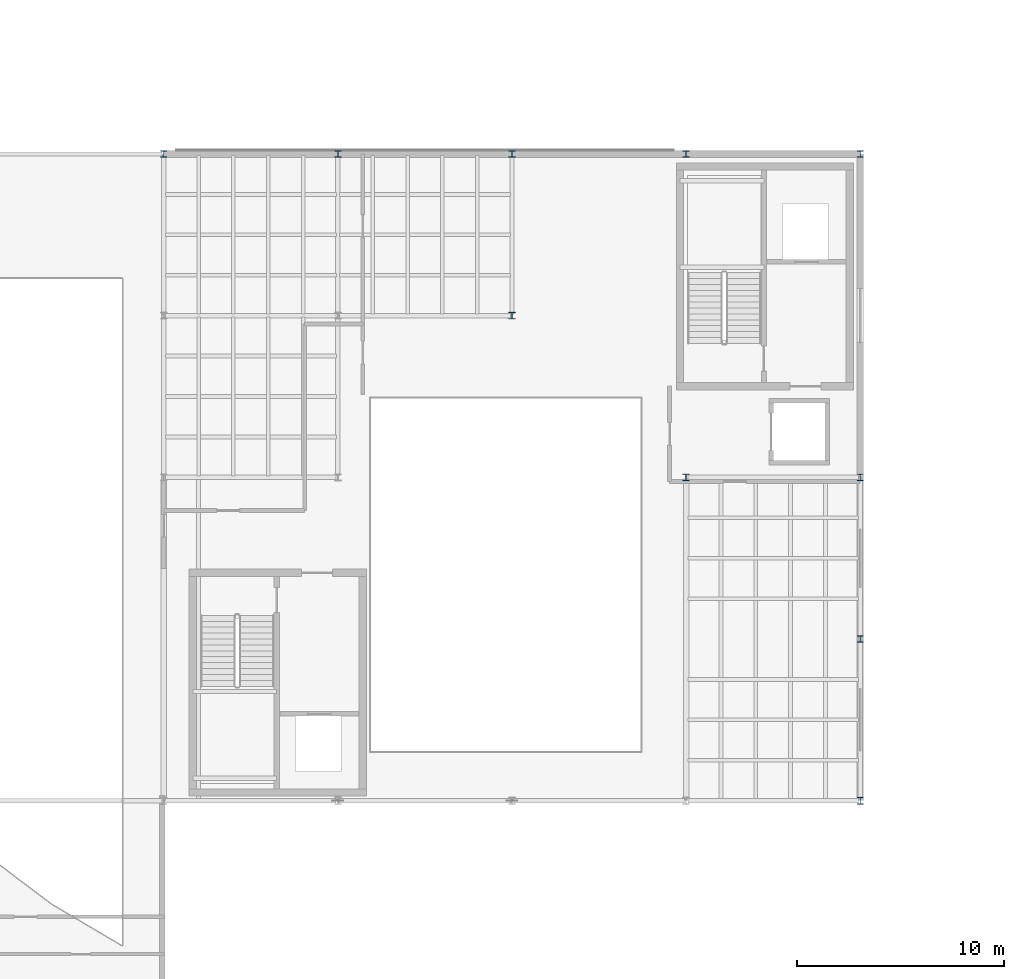
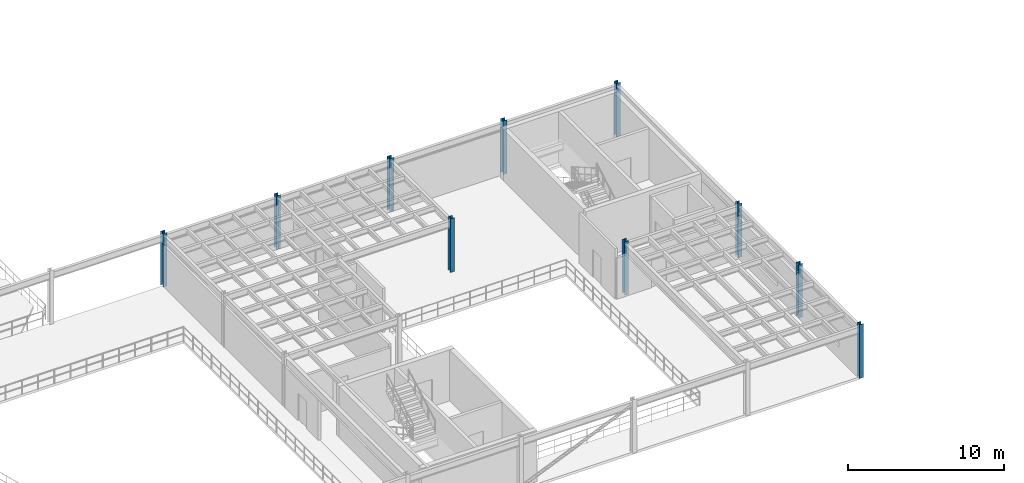
# One storey, part 5 of 32: 10 columns.
"""IFC4 building model written with IfcOpenShell, lengths in metres."""

import ifcopenshell
import ifcopenshell.guid

model = None  # the IFC model being written
_history = None  # IfcOwnerHistory: only IFC2X3 demands one
_inside = {}  # id of a spatial element -> (the spatial element, [elements in it])
_under = {}  # id of a project, library or spatial element -> (it, [spatial elements below it])
_declared = {}  # id of a project -> (the project, [libraries it declares])
_typed = {}  # id of a type object -> (the type object, [elements of that type])
_made_of = {}  # id of a material, layer set ... -> (it, [elements and type objects made of it])


def new_model(schema):
    """Start an empty IFC model of exactly this schema.

    Asked for "IFC4X3", IfcOpenShell would pick the latest addendum, in which some entities
    have other attributes; the version numbers below select the first issue.
    IFC2X3 requires an IfcOwnerHistory on every rooted entity: one is made here for all.
    """
    global model, _history
    if schema == "IFC4X3":
        model = ifcopenshell.file(schema_version=(4, 3, 0, 0))
    else:
        model = ifcopenshell.file(schema=schema)
    _inside.clear()
    _under.clear()
    _declared.clear()
    _typed.clear()
    _made_of.clear()
    _history = None
    if model.schema == "IFC2X3":
        org = make("IfcOrganization", Name="unknown")
        user = make(
            "IfcPersonAndOrganization",
            ThePerson=make("IfcPerson", FamilyName="unknown"),
            TheOrganization=org,
        )
        app = make(
            "IfcApplication",
            ApplicationDeveloper=org,
            Version="unknown",
            ApplicationFullName="unknown",
            ApplicationIdentifier="unknown",
        )
        _history = make(
            "IfcOwnerHistory",
            OwningUser=user,
            OwningApplication=app,
            ChangeAction="ADDED",
            CreationDate=0,
        )
    return model


def make(cls, **values):
    """One entity of the class cls with the attributes given. An attribute that is None is left unset."""
    return model.create_entity(
        cls, **{name: value for name, value in values.items() if value is not None}
    )


def rooted(cls, **values):
    """An entity with a GlobalId (a new one), such as an element, a storey or a relation."""
    return make(cls, GlobalId=ifcopenshell.guid.new(), OwnerHistory=_history, **values)


def si_unit(unit_type, name, prefix=None):
    """IfcSIUnit, for example si_unit("LENGTHUNIT", "METRE", prefix="MILLI")."""
    return make("IfcSIUnit", UnitType=unit_type, Prefix=prefix, Name=name)


def assignment(units):
    """IfcUnitAssignment: the units of a project."""
    return None if units is None else make("IfcUnitAssignment", Units=units)


def point(xyz):
    """IfcCartesianPoint."""
    return None if xyz is None else make("IfcCartesianPoint", Coordinates=xyz)


def direction(xyz):
    """IfcDirection."""
    return None if xyz is None else make("IfcDirection", DirectionRatios=xyz)


def frame(location, z_axis=None, x_axis=None):
    """IfcAxis2Placement3D, a coordinate frame: its origin and axes. An axis left out is left unset."""
    return make(
        "IfcAxis2Placement3D",
        Location=point(location),
        Axis=direction(z_axis),
        RefDirection=direction(x_axis),
    )


def frame_2d(location, x_axis=None):
    """IfcAxis2Placement2D, a coordinate frame in the plane: its origin and x axis."""
    return make(
        "IfcAxis2Placement2D", Location=point(location), RefDirection=direction(x_axis)
    )


def origin():
    """The frame at (0, 0, 0) with its axes left unset."""
    return frame((0.0, 0.0, 0.0))


def origin_2d():
    """The frame at (0, 0) in the plane with its x axis left unset."""
    return frame_2d((0.0, 0.0))


def place(relative_to, where):
    """IfcLocalPlacement: puts the frame where relative to a parent placement (None: the world)."""
    return make(
        "IfcLocalPlacement", PlacementRelTo=relative_to, RelativePlacement=where
    )


def context(
    kind, dimensions, precision=None, world=None, true_north=None, identifier=None
):
    """IfcGeometricRepresentationContext, for example the 3D "Model" context."""
    return make(
        "IfcGeometricRepresentationContext",
        ContextIdentifier=identifier,
        ContextType=kind,
        CoordinateSpaceDimension=dimensions,
        Precision=precision,
        WorldCoordinateSystem=world,
        TrueNorth=true_north,
    )


def subcontext(parent, identifier, kind, view, scale=None):
    """IfcGeometricRepresentationSubContext, for example "Body" below "Model"."""
    return make(
        "IfcGeometricRepresentationSubContext",
        ContextIdentifier=identifier,
        ContextType=kind,
        ParentContext=parent,
        TargetScale=scale,
        TargetView=view,
    )


def project(units=None, contexts=None):
    """IfcProject with its units and contexts."""
    return rooted(
        "IfcProject",
        Name="project",
        RepresentationContexts=contexts,
        UnitsInContext=assignment(units),
    )


def spatial(cls, under=None, at=None, **own):
    """A site, building, storey or space (cls), placed at a placement, below another one or the project."""
    s = rooted(cls, ObjectPlacement=at, **own)
    if under is not None:
        _under.setdefault(under.id(), (under, []))[1].append(s)
    return s


def profile(cls, at=None, kind="AREA", **sizes):
    """A parametric profile (cls). Its sizes go by their IFC names, for example OverallWidth=200.0."""
    return make(cls, ProfileType=kind, Position=at, **sizes)


def i_section(**sizes):
    """IfcIShapeProfileDef."""
    return profile("IfcIShapeProfileDef", **sizes)


def extrude(swept, where, along, depth):
    """IfcExtrudedAreaSolid: the profile swept, set in the frame where, extruded along a direction by depth."""
    return make(
        "IfcExtrudedAreaSolid",
        SweptArea=swept,
        Position=where,
        ExtrudedDirection=direction(along),
        Depth=depth,
    )


def shape(context_of_items, identifier, shape_type, items):
    """IfcShapeRepresentation: the items that make up one representation, for example the "Body"."""
    return make(
        "IfcShapeRepresentation",
        ContextOfItems=context_of_items,
        RepresentationIdentifier=identifier,
        RepresentationType=shape_type,
        Items=items,
    )


def material(Name=None, Category=None):
    """IfcMaterial."""
    return make("IfcMaterial", Name=Name, Category=Category)


def material_profile(
    of_material, cross_section, Name=None, Category=None, Priority=None
):
    """IfcMaterialProfile: a cross section and its material."""
    return make(
        "IfcMaterialProfile",
        Name=Name,
        Material=of_material,
        Profile=cross_section,
        Priority=Priority,
        Category=Category,
    )


def profile_set(profiles, Name=None, composite=None):
    """IfcMaterialProfileSet."""
    return make(
        "IfcMaterialProfileSet",
        Name=Name,
        MaterialProfiles=profiles,
        CompositeProfile=composite,
    )


def made_of(thing, what):
    """Note that an element or type object is made of a material, layer set ...; save() writes the relation."""
    if what is not None:
        _made_of.setdefault(what.id(), (what, []))[1].append(thing)
    return thing


def type_object(cls, material=None, **own):
    """A type object (cls), such as IfcWallType, which elements share."""
    return made_of(rooted(cls, **own), material)


def element(
    cls,
    number,
    at=None,
    inside=None,
    cuts=None,
    type_object=None,
    material=None,
    context=None,
    identifier="Body",
    shape_type=None,
    held_by="IfcProductDefinitionShape",
    body=None,
    shapes=None,
    **own,
):
    """One element of the class cls, such as IfcWall. Its Tag is "e" and its number.

    at: its placement. inside: the storey or other place that contains it. cuts: it is an
    opening in that element (IfcRelVoidsElement). A single representation is given by context,
    identifier, shape_type and body (its items); several are given by shapes. held_by: the class
    of the entity that holds the representations. save() writes the other relations.
    """
    e = rooted(cls, Tag="e%d" % number, ObjectPlacement=at, **own)
    if body is not None:
        shapes = [shape(context, identifier, shape_type, body)]
    if shapes is not None:
        e.Representation = make(held_by, Representations=shapes)
    if inside is not None:
        _inside.setdefault(inside.id(), (inside, []))[1].append(e)
    if cuts is not None:
        rooted(
            "IfcRelVoidsElement", RelatingBuildingElement=cuts, RelatedOpeningElement=e
        )
    if type_object is not None:
        _typed.setdefault(type_object.id(), (type_object, []))[1].append(e)
    return made_of(e, material)


def aggregate(whole, parts):
    """IfcRelAggregates: a whole, such as a stair, and the parts it consists of."""
    return rooted("IfcRelAggregates", RelatingObject=whole, RelatedObjects=parts)


def save(model, path):
    """Write the relations noted so far, then the file.

    IfcRelAggregates (storeys below a building ...), IfcRelContainedInSpatialStructure (elements
    in a storey), IfcRelDefinesByType, IfcRelAssociatesMaterial and IfcRelDeclares: one each for
    every whole, place, type object, material and project.
    """
    for whole, parts in _under.values():
        aggregate(whole, parts)
    for where, things in _inside.values():
        rooted(
            "IfcRelContainedInSpatialStructure",
            RelatedElements=things,
            RelatingStructure=where,
        )
    for kind, things in _typed.values():
        rooted("IfcRelDefinesByType", RelatedObjects=things, RelatingType=kind)
    for what, things in _made_of.values():
        rooted("IfcRelAssociatesMaterial", RelatedObjects=things, RelatingMaterial=what)
    for by, libraries in _declared.values():
        rooted("IfcRelDeclares", RelatingContext=by, RelatedDefinitions=libraries)
    model.write(path)


model = new_model("IFC4")

# Units and contexts
model_context = context("Model", 3, precision=1e-05, world=origin(), true_north=direction((0.0, 1.0)))
body_context = subcontext(model_context, "Body", "Model", "MODEL_VIEW")
ifc_project = project(units=[si_unit("LENGTHUNIT", "METRE"), si_unit("AREAUNIT", "SQUARE_METRE"), si_unit("VOLUMEUNIT", "CUBIC_METRE"), si_unit("PLANEANGLEUNIT", "RADIAN"), si_unit("MASSUNIT", "GRAM", prefix="KILO")], contexts=[model_context])

# Site, building, storey
site_placement = place(None, origin())
site = spatial("IfcSite", under=ifc_project, at=site_placement, CompositionType="ELEMENT")
building_placement = place(site_placement, origin())
building = spatial("IfcBuilding", under=site, at=building_placement, Name="Selat Folded Stagehouse", CompositionType="ELEMENT")
storey_placement = place(building_placement, frame((0.0, 0.0, 19.199951171875)))
storey = spatial("IfcBuildingStorey", under=building, at=storey_placement, Name="L04", CompositionType="ELEMENT", Elevation=19.199951171875)

# Columns
ifc_material = material(Name="Steel S355", Category="steel")
ifc_material_profile = material_profile(ifc_material, i_section(OverallWidth=0.30908203125, OverallDepth=0.320556640625, WebThickness=0.013916015625, FlangeThickness=0.021728515625, FilletRadius=0.01513671875, at=origin_2d()), Name="UKC 305x305x137")
ifc_profile_set = profile_set([ifc_material_profile], Name="Steel S355")
column_type = type_object("IfcColumnType", Name="COL-UKC-305x305x137", PredefinedType="COLUMN", material=ifc_profile_set)
for number, where, z_axis, x_axis, name in (
    (1, (33.60009765625, 54.60009765625, 0.0), (0.0, 0.0, 1.0), (1.0, 0.0, 0.0), "L04 column STK-V2-10"),
    (2, (42.0, 54.60009765625, 0.0), (0.0, 0.0, 1.0), (1.0, 0.0, 0.0), "L04 column STK-V2-14"),
    (3, (50.39990234375, 46.800048828125, 0.0), (0.0, 0.0, 1.0), (1.0, 0.0, 0.0), "L04 column STK-V2-16"),
    (4, (50.39990234375, 54.60009765625, 0.0), (0.0, 0.0, 1.0), (1.0, 0.0, 0.0), "L04 column STK-V2-17"),
    (5, (58.800048828125, 39.0, 0.0), (0.0, 0.0, 1.0), (1.0, 0.0, 0.0), "L04 column STK-V2-19"),
    (6, (58.800048828125, 54.60009765625, 0.0), (0.0, 0.0, 1.0), (1.0, 0.0, 0.0), "L04 column STK-V2-20"),
    (7, (67.199951171875, 23.39990234375, 0.0), (0.0, 0.0, 1.0), (1.0, 0.0, 0.0), "L04 column STK-V2-21"),
    (8, (67.199951171875, 31.199951171875, 0.0), (0.0, 0.0, 1.0), (1.0, 0.0, 0.0), "L04 column STK-V2-22"),
    (9, (67.199951171875, 39.0, 0.0), (0.0, 0.0, 1.0), (1.0, 0.0, 0.0), "L04 column STK-V2-23"),
    (10, (67.199951171875, 54.60009765625, 0.0), (0.0, 0.0, 1.0), (1.0, 0.0, 0.0), "L04 column STK-V2-24"),
):
    element("IfcColumn", number, at=place(storey_placement, frame(where, z_axis=z_axis, x_axis=x_axis)), inside=storey, type_object=column_type, Name=name, PredefinedType="COLUMN", context=body_context, shape_type="SweptSolid", body=[
        extrude(i_section(OverallWidth=0.30908203125, OverallDepth=0.320556640625, WebThickness=0.013916015625, FlangeThickness=0.021728515625, FilletRadius=0.01513671875, at=origin_2d()), origin(), (0.0, 0.0, 1.0), 4.199951171875),
    ])

save(model, "model.ifc")
